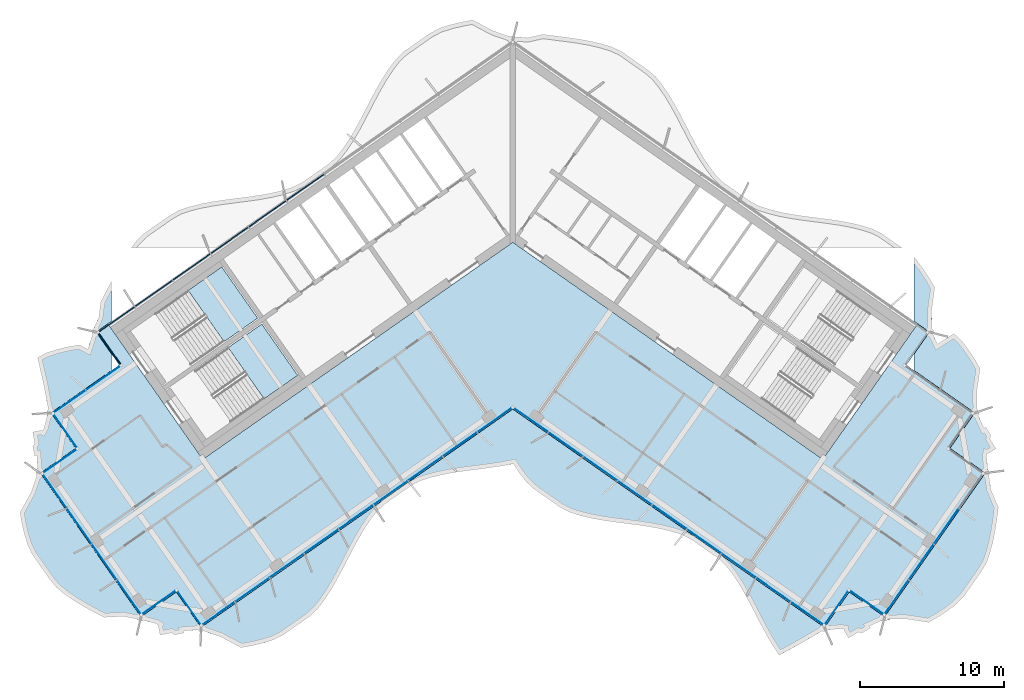
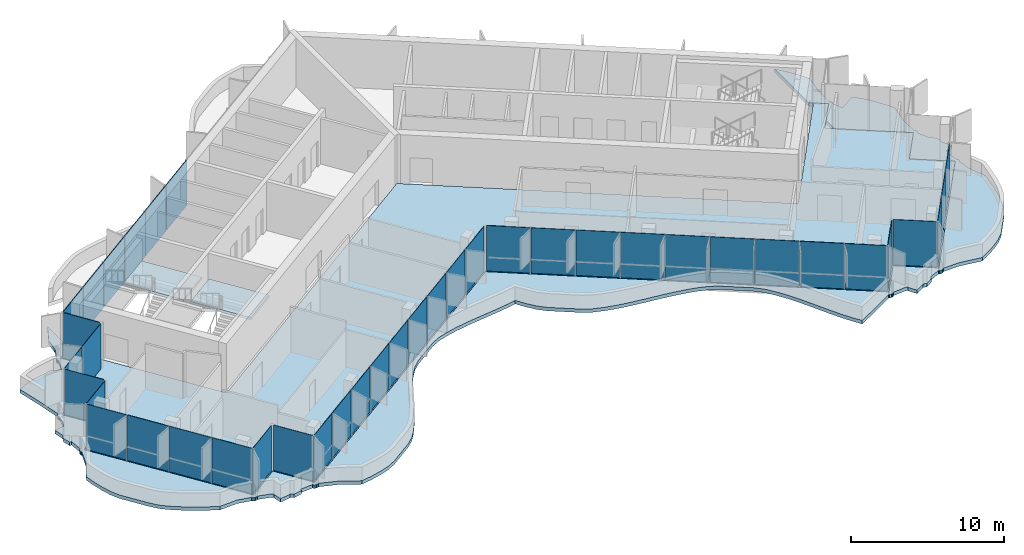
# One storey, part 9 of 20: 40 plates, 4 slabs, 4 elements without a shape of their own.
"""IFC4 building model written with IfcOpenShell, lengths in metres."""

from ifc_helpers import new_model, si_unit, direction, frame, origin, origin_2d, place, context, subcontext, project, spatial, polyline, rectangle, outline, extrude, material, layer, layer_set, type_object, element, aggregate, save


model = new_model("IFC4")

# Units and contexts
model_context = context("Model", 3, precision=1e-05, world=origin(), true_north=direction((0.0, 1.0)))
body_context = subcontext(model_context, "Body", "Model", "MODEL_VIEW")
ifc_project = project(units=[si_unit("LENGTHUNIT", "METRE"), si_unit("AREAUNIT", "SQUARE_METRE"), si_unit("VOLUMEUNIT", "CUBIC_METRE"), si_unit("PLANEANGLEUNIT", "RADIAN"), si_unit("MASSUNIT", "GRAM", prefix="KILO")], contexts=[model_context])

# Site, building, storey
site_placement = place(None, origin())
site = spatial("IfcSite", under=ifc_project, at=site_placement, CompositionType="ELEMENT")
building_placement = place(site_placement, origin())
building = spatial("IfcBuilding", under=site, at=building_placement, Name="Tel Ilan Convention Tower", CompositionType="ELEMENT")
storey_placement = place(building_placement, frame((0.0, 0.0, 233.199951171875)))
storey = spatial("IfcBuildingStorey", under=building, at=storey_placement, Name="L54", CompositionType="ELEMENT", Elevation=233.199951171875)

# Curtain wall, plates
ifc_material_1 = material(Name="Aluminium, bronze anodised", Category="aluminium")
curtain_wall_type_1 = type_object("IfcCurtainWallType", Name="CW2 STICK CURTAIN WALL, SPANDREL PANELS", PredefinedType="NOTDEFINED", material=ifc_material_1)
curtain_wall_1_placement = place(storey_placement, origin())
curtain_wall_1 = element("IfcCurtainWall", 1, at=curtain_wall_1_placement, inside=storey, type_object=curtain_wall_type_1, Name="Curtain wall CW2-42.01", PredefinedType="NOTDEFINED")
ifc_material_2 = material(Name="Aluminium composite panel, bronze anodised", Category="aluminium")
ifc_layer_1 = layer(ifc_material_2, 0.06005859375)
ifc_layer_set_1 = layer_set([ifc_layer_1], Name="CW SPANDREL PANEL 60")
plate_type_1 = type_object("IfcPlateType", Name="CW SPANDREL PANEL 60", PredefinedType="CURTAIN_PANEL", material=ifc_layer_set_1)
plate_1_placement = place(storey_placement, frame((-14.422119140625, 2.59765625, 0.0), z_axis=(0.0, 0.0, 1.0), x_axis=(-0.819152044289, -0.573576436351, 0.0)))
plate_1 = element("IfcPlate", 2, at=plate_1_placement, type_object=plate_type_1, Name="Spandrel panel", PredefinedType="CURTAIN_PANEL", context=body_context, shape_type="SweptSolid", body=[
    extrude(rectangle(XDim=3.15380859375, YDim=0.06005859375, at=origin_2d()), origin(), (0.0, 0.0, 1.0), 3.6201171875),
])
plate_2_placement = place(storey_placement, frame((-17.0546875, 0.754150390625, 0.0), z_axis=(0.0, 0.0, 1.0), x_axis=(-0.819152044289, -0.573576436351, 0.0)))
plate_2 = element("IfcPlate", 3, at=plate_2_placement, type_object=plate_type_1, Name="Spandrel panel", PredefinedType="CURTAIN_PANEL", context=body_context, shape_type="SweptSolid", body=[
    extrude(rectangle(XDim=3.15380859375, YDim=0.06005859375, at=origin_2d()), origin(), (0.0, 0.0, 1.0), 3.6201171875),
])
plate_3_placement = place(storey_placement, frame((-19.687255859375, -1.089111328125, 0.0), z_axis=(0.0, 0.0, 1.0), x_axis=(-0.819152044289, -0.573576436351, 0.0)))
plate_3 = element("IfcPlate", 4, at=plate_3_placement, type_object=plate_type_1, Name="Spandrel panel", PredefinedType="CURTAIN_PANEL", context=body_context, shape_type="SweptSolid", body=[
    extrude(rectangle(XDim=3.15380859375, YDim=0.06005859375, at=origin_2d()), origin(), (0.0, 0.0, 1.0), 3.6201171875),
])
plate_4_placement = place(storey_placement, frame((-22.31982421875, -2.9326171875, 0.0), z_axis=(0.0, 0.0, 1.0), x_axis=(-0.819152044289, -0.573576436351, 0.0)))
plate_4 = element("IfcPlate", 5, at=plate_4_placement, type_object=plate_type_1, Name="Spandrel panel", PredefinedType="CURTAIN_PANEL", context=body_context, shape_type="SweptSolid", body=[
    extrude(rectangle(XDim=3.15380859375, YDim=0.06005859375, at=origin_2d()), origin(), (0.0, 0.0, 1.0), 3.6201171875),
])
plate_5_placement = place(storey_placement, frame((-24.95263671875, -4.77587890625, 0.0), z_axis=(0.0, 0.0, 1.0), x_axis=(-0.819152044289, -0.573576436351, 0.0)))
plate_5 = element("IfcPlate", 6, at=plate_5_placement, type_object=plate_type_1, Name="Spandrel panel", PredefinedType="CURTAIN_PANEL", context=body_context, shape_type="SweptSolid", body=[
    extrude(rectangle(XDim=3.15380859375, YDim=0.06005859375, at=origin_2d()), origin(), (0.0, 0.0, 1.0), 3.6201171875),
])
plate_6_placement = place(storey_placement, frame((-27.5400390625, -6.587646484375, 0.0), z_axis=(0.0, 0.0, 1.0), x_axis=(-0.819152044289, -0.573576436351, 0.0)))
plate_6 = element("IfcPlate", 7, at=plate_6_placement, type_object=plate_type_1, Name="Spandrel panel", PredefinedType="CURTAIN_PANEL", context=body_context, shape_type="SweptSolid", body=[
    extrude(rectangle(XDim=3.0439453125, YDim=0.06005859375, at=origin_2d()), origin(), (0.0, 0.0, 1.0), 3.6201171875),
])
plate_7_placement = place(storey_placement, frame((-28.033935546875, -8.60546875, 0.0), z_axis=(0.0, 0.0, 1.0), x_axis=(0.573576436351, -0.819152044289, 0.0)))
plate_7 = element("IfcPlate", 8, at=plate_7_placement, type_object=plate_type_1, Name="Spandrel panel", PredefinedType="CURTAIN_PANEL", context=body_context, shape_type="SweptSolid", body=[
    extrude(rectangle(XDim=2.658935546875, YDim=0.06005859375, at=origin_2d()), origin(), (0.0, 0.0, 1.0), 3.6201171875),
])
aggregate(curtain_wall_1, [plate_1, plate_2, plate_3, plate_4, plate_5, plate_6, plate_7])

ifc_material_3 = material(Name="Aluminium, bronze anodised", Category="aluminium")
curtain_wall_type_2 = type_object("IfcCurtainWallType", Name="CW5 STICK CURTAIN WALL, UPPER OFFICE LOW-IRON TINTED GLASS", PredefinedType="NOTDEFINED", material=ifc_material_3)
curtain_wall_2_placement = place(storey_placement, origin())
curtain_wall_2 = element("IfcCurtainWall", 9, at=curtain_wall_2_placement, inside=storey, type_object=curtain_wall_type_2, Name="Curtain wall CW5-42.02", PredefinedType="NOTDEFINED")
ifc_material_4 = material(Name="Glass, low-iron bronze tinted, two-ply", Category="glass")
ifc_layer_2 = layer(ifc_material_4, 0.031982421875)
ifc_layer_set_2 = layer_set([ifc_layer_2], Name="CW UPPER GLASS PANEL 32")
plate_type_2 = type_object("IfcPlateType", Name="CW UPPER GLASS PANEL 32", PredefinedType="CURTAIN_PANEL", material=ifc_layer_set_2)
plate_8_placement = place(storey_placement, frame((-28.471435546875, -10.657958984375, 0.0), z_axis=(0.0, 0.0, 1.0), x_axis=(-0.819152044289, -0.573576436351, 0.0)))
plate_8 = element("IfcPlate", 10, at=plate_8_placement, type_object=plate_type_2, Name="Glass panel", PredefinedType="CURTAIN_PANEL", context=body_context, shape_type="SweptSolid", body=[
    extrude(rectangle(XDim=2.868896484375, YDim=0.028076171875, at=origin_2d()), origin(), (0.0, 0.0, 1.0), 3.6201171875),
])
plate_9_placement = place(storey_placement, frame((-30.8203125, -12.302734375, 0.0), z_axis=(0.0, 0.0, 1.0), x_axis=(-0.819152044289, -0.573576436351, 0.0)))
plate_9 = element("IfcPlate", 11, at=plate_9_placement, type_object=plate_type_2, Name="Glass panel", PredefinedType="CURTAIN_PANEL", context=body_context, shape_type="SweptSolid", body=[
    extrude(rectangle(XDim=2.74609375, YDim=0.028076171875, at=origin_2d()), origin(), (0.0, 0.0, 1.0), 3.6201171875),
])
plate_10_placement = place(storey_placement, frame((-31.126220703125, -14.30126953125, 0.0), z_axis=(0.0, 0.0, 1.0), x_axis=(0.573576436351, -0.819152044289, 0.0)))
plate_10 = element("IfcPlate", 12, at=plate_10_placement, type_object=plate_type_2, Name="Glass panel", PredefinedType="CURTAIN_PANEL", context=body_context, shape_type="SweptSolid", body=[
    extrude(rectangle(XDim=2.875, YDim=0.028076171875, at=origin_2d()), origin(), (0.0, 0.0, 1.0), 3.6201171875),
])
plate_11_placement = place(storey_placement, frame((-31.504150390625, -16.44384765625, 0.0), z_axis=(0.0, 0.0, 1.0), x_axis=(-0.819152044289, -0.573576436351, 0.0)))
plate_11 = element("IfcPlate", 13, at=plate_11_placement, type_object=plate_type_2, Name="Glass panel", PredefinedType="CURTAIN_PANEL", context=body_context, shape_type="SweptSolid", body=[
    extrude(rectangle(XDim=2.875, YDim=0.028076171875, at=origin_2d()), origin(), (0.0, 0.0, 1.0), 3.6201171875),
])
plate_12_placement = place(storey_placement, frame((-31.85693359375, -18.488037109375, 0.0), z_axis=(0.0, 0.0, 1.0), x_axis=(0.573576436351, -0.819152044289, 0.0)))
plate_12 = element("IfcPlate", 14, at=plate_12_placement, type_object=plate_type_2, Name="Glass panel", PredefinedType="CURTAIN_PANEL", context=body_context, shape_type="SweptSolid", body=[
    extrude(rectangle(XDim=2.89599609375, YDim=0.028076171875, at=origin_2d()), origin(), (0.0, 0.0, 1.0), 3.6201171875),
])
plate_13_placement = place(storey_placement, frame((-30.134521484375, -20.94775390625, 0.0), z_axis=(0.0, 0.0, 1.0), x_axis=(0.573576436351, -0.819152044289, 0.0)))
plate_13 = element("IfcPlate", 15, at=plate_13_placement, type_object=plate_type_2, Name="Glass panel", PredefinedType="CURTAIN_PANEL", context=body_context, shape_type="SweptSolid", body=[
    extrude(rectangle(XDim=2.989990234375, YDim=0.028076171875, at=origin_2d()), origin(), (0.0, 0.0, 1.0), 3.6201171875),
])
plate_14_placement = place(storey_placement, frame((-28.38525390625, -23.4462890625, 0.0), z_axis=(0.0, 0.0, 1.0), x_axis=(0.573576436351, -0.819152044289, 0.0)))
plate_14 = element("IfcPlate", 16, at=plate_14_placement, type_object=plate_type_2, Name="Glass panel", PredefinedType="CURTAIN_PANEL", context=body_context, shape_type="SweptSolid", body=[
    extrude(rectangle(XDim=2.989990234375, YDim=0.028076171875, at=origin_2d()), origin(), (0.0, 0.0, 1.0), 3.6201171875),
])
plate_15_placement = place(storey_placement, frame((-26.66259765625, -25.90625, 0.0), z_axis=(0.0, 0.0, 1.0), x_axis=(0.573576436351, -0.819152044289, 0.0)))
plate_15 = element("IfcPlate", 17, at=plate_15_placement, type_object=plate_type_2, Name="Glass panel", PredefinedType="CURTAIN_PANEL", context=body_context, shape_type="SweptSolid", body=[
    extrude(rectangle(XDim=2.89599609375, YDim=0.028076171875, at=origin_2d()), origin(), (0.0, 0.0, 1.0), 3.6201171875),
])
plate_16_placement = place(storey_placement, frame((-24.621337890625, -26.273681640625, 0.0), z_axis=(0.0, 0.0, 1.0), x_axis=(0.819152044289, 0.573576436351, 0.0)))
plate_16 = element("IfcPlate", 18, at=plate_16_placement, type_object=plate_type_2, Name="Glass panel", PredefinedType="CURTAIN_PANEL", context=body_context, shape_type="SweptSolid", body=[
    extrude(rectangle(XDim=2.875, YDim=0.028076171875, at=origin_2d()), origin(), (0.0, 0.0, 1.0), 3.6201171875),
])
plate_17_placement = place(storey_placement, frame((-22.478515625, -26.651611328125, 0.0), z_axis=(0.0, 0.0, 1.0), x_axis=(0.573576436351, -0.819152044289, 0.0)))
plate_17 = element("IfcPlate", 19, at=plate_17_placement, type_object=plate_type_2, Name="Glass panel", PredefinedType="CURTAIN_PANEL", context=body_context, shape_type="SweptSolid", body=[
    extrude(rectangle(XDim=2.875, YDim=0.028076171875, at=origin_2d()), origin(), (0.0, 0.0, 1.0), 3.6201171875),
])
plate_18_placement = place(storey_placement, frame((-20.47998046875, -27.036376953125, 0.0), z_axis=(0.0, 0.0, 1.0), x_axis=(0.819152044289, 0.573576436351, 0.0)))
plate_18 = element("IfcPlate", 20, at=plate_18_placement, type_object=plate_type_2, Name="Glass panel", PredefinedType="CURTAIN_PANEL", context=body_context, shape_type="SweptSolid", body=[
    extrude(rectangle(XDim=2.78466796875, YDim=0.028076171875, at=origin_2d()), origin(), (0.0, 0.0, 1.0), 3.6201171875),
])
plate_19_placement = place(storey_placement, frame((-18.111328125, -25.377685546875, 0.0), z_axis=(0.0, 0.0, 1.0), x_axis=(0.819152044289, 0.573576436351, 0.0)))
plate_19 = element("IfcPlate", 21, at=plate_19_placement, type_object=plate_type_2, Name="Glass panel", PredefinedType="CURTAIN_PANEL", context=body_context, shape_type="SweptSolid", body=[
    extrude(rectangle(XDim=2.878662109375, YDim=0.028076171875, at=origin_2d()), origin(), (0.0, 0.0, 1.0), 3.6201171875),
])
plate_20_placement = place(storey_placement, frame((-15.7041015625, -23.692138671875, 0.0), z_axis=(0.0, 0.0, 1.0), x_axis=(0.819152044289, 0.573576436351, 0.0)))
plate_20 = element("IfcPlate", 22, at=plate_20_placement, type_object=plate_type_2, Name="Glass panel", PredefinedType="CURTAIN_PANEL", context=body_context, shape_type="SweptSolid", body=[
    extrude(rectangle(XDim=2.878662109375, YDim=0.028076171875, at=origin_2d()), origin(), (0.0, 0.0, 1.0), 3.6201171875),
])
plate_21_placement = place(storey_placement, frame((-13.296875, -22.006591796875, 0.0), z_axis=(0.0, 0.0, 1.0), x_axis=(0.819152044289, 0.573576436351, 0.0)))
plate_21 = element("IfcPlate", 23, at=plate_21_placement, type_object=plate_type_2, Name="Glass panel", PredefinedType="CURTAIN_PANEL", context=body_context, shape_type="SweptSolid", body=[
    extrude(rectangle(XDim=2.878662109375, YDim=0.028076171875, at=origin_2d()), origin(), (0.0, 0.0, 1.0), 3.6201171875),
])
plate_22_placement = place(storey_placement, frame((-10.8896484375, -20.321044921875, 0.0), z_axis=(0.0, 0.0, 1.0), x_axis=(0.819152044289, 0.573576436351, 0.0)))
plate_22 = element("IfcPlate", 24, at=plate_22_placement, type_object=plate_type_2, Name="Glass panel", PredefinedType="CURTAIN_PANEL", context=body_context, shape_type="SweptSolid", body=[
    extrude(rectangle(XDim=2.878662109375, YDim=0.028076171875, at=origin_2d()), origin(), (0.0, 0.0, 1.0), 3.6201171875),
])
plate_23_placement = place(storey_placement, frame((-8.482666015625, -18.635498046875, 0.0), z_axis=(0.0, 0.0, 1.0), x_axis=(0.819152044289, 0.573576436351, 0.0)))
plate_23 = element("IfcPlate", 25, at=plate_23_placement, type_object=plate_type_2, Name="Glass panel", PredefinedType="CURTAIN_PANEL", context=body_context, shape_type="SweptSolid", body=[
    extrude(rectangle(XDim=2.878662109375, YDim=0.028076171875, at=origin_2d()), origin(), (0.0, 0.0, 1.0), 3.6201171875),
])
plate_24_placement = place(storey_placement, frame((-6.075439453125, -16.949951171875, 0.0), z_axis=(0.0, 0.0, 1.0), x_axis=(0.819152044289, 0.573576436351, 0.0)))
plate_24 = element("IfcPlate", 26, at=plate_24_placement, type_object=plate_type_2, Name="Glass panel", PredefinedType="CURTAIN_PANEL", context=body_context, shape_type="SweptSolid", body=[
    extrude(rectangle(XDim=2.878662109375, YDim=0.028076171875, at=origin_2d()), origin(), (0.0, 0.0, 1.0), 3.6201171875),
])
plate_25_placement = place(storey_placement, frame((-3.668212890625, -15.264404296875, 0.0), z_axis=(0.0, 0.0, 1.0), x_axis=(0.819152044289, 0.573576436351, 0.0)))
plate_25 = element("IfcPlate", 27, at=plate_25_placement, type_object=plate_type_2, Name="Glass panel", PredefinedType="CURTAIN_PANEL", context=body_context, shape_type="SweptSolid", body=[
    extrude(rectangle(XDim=2.878662109375, YDim=0.028076171875, at=origin_2d()), origin(), (0.0, 0.0, 1.0), 3.6201171875),
])
plate_26_placement = place(storey_placement, frame((-1.261474609375, -13.579345703125, 0.0), z_axis=(0.0, 0.0, 1.0), x_axis=(0.819152044289, 0.573576436351, 0.0)))
plate_26 = element("IfcPlate", 28, at=plate_26_placement, type_object=plate_type_2, Name="Glass panel", PredefinedType="CURTAIN_PANEL", context=body_context, shape_type="SweptSolid", body=[
    extrude(rectangle(XDim=2.877685546875, YDim=0.028076171875, at=origin_2d()), origin(), (0.0, 0.0, 1.0), 3.6201171875),
])
plate_27_placement = place(storey_placement, frame((1.27294921875, -13.58740234375, 0.0), z_axis=(0.0, 0.0, 1.0), x_axis=(0.819152044289, -0.573576436351, 0.0)))
plate_27 = element("IfcPlate", 29, at=plate_27_placement, type_object=plate_type_2, Name="Glass panel", PredefinedType="CURTAIN_PANEL", context=body_context, shape_type="SweptSolid", body=[
    extrude(rectangle(XDim=2.849609375, YDim=0.028076171875, at=origin_2d()), origin(), (0.0, 0.0, 1.0), 3.6201171875),
])
plate_28_placement = place(storey_placement, frame((3.668212890625, -15.264404296875, 0.0), z_axis=(0.0, 0.0, 1.0), x_axis=(0.819152044289, -0.573576436351, 0.0)))
plate_28 = element("IfcPlate", 30, at=plate_28_placement, type_object=plate_type_2, Name="Glass panel", PredefinedType="CURTAIN_PANEL", context=body_context, shape_type="SweptSolid", body=[
    extrude(rectangle(XDim=2.878662109375, YDim=0.028076171875, at=origin_2d()), origin(), (0.0, 0.0, 1.0), 3.6201171875),
])
plate_29_placement = place(storey_placement, frame((6.075439453125, -16.949951171875, 0.0), z_axis=(0.0, 0.0, 1.0), x_axis=(0.819152044289, -0.573576436351, 0.0)))
plate_29 = element("IfcPlate", 31, at=plate_29_placement, type_object=plate_type_2, Name="Glass panel", PredefinedType="CURTAIN_PANEL", context=body_context, shape_type="SweptSolid", body=[
    extrude(rectangle(XDim=2.878662109375, YDim=0.028076171875, at=origin_2d()), origin(), (0.0, 0.0, 1.0), 3.6201171875),
])
plate_30_placement = place(storey_placement, frame((8.482666015625, -18.635498046875, 0.0), z_axis=(0.0, 0.0, 1.0), x_axis=(0.819152044289, -0.573576436351, 0.0)))
plate_30 = element("IfcPlate", 32, at=plate_30_placement, type_object=plate_type_2, Name="Glass panel", PredefinedType="CURTAIN_PANEL", context=body_context, shape_type="SweptSolid", body=[
    extrude(rectangle(XDim=2.878662109375, YDim=0.028076171875, at=origin_2d()), origin(), (0.0, 0.0, 1.0), 3.6201171875),
])
plate_31_placement = place(storey_placement, frame((10.8896484375, -20.321044921875, 0.0), z_axis=(0.0, 0.0, 1.0), x_axis=(0.819152044289, -0.573576436351, 0.0)))
plate_31 = element("IfcPlate", 33, at=plate_31_placement, type_object=plate_type_2, Name="Glass panel", PredefinedType="CURTAIN_PANEL", context=body_context, shape_type="SweptSolid", body=[
    extrude(rectangle(XDim=2.878662109375, YDim=0.028076171875, at=origin_2d()), origin(), (0.0, 0.0, 1.0), 3.6201171875),
])
plate_32_placement = place(storey_placement, frame((13.296875, -22.006591796875, 0.0), z_axis=(0.0, 0.0, 1.0), x_axis=(0.819152044289, -0.573576436351, 0.0)))
plate_32 = element("IfcPlate", 34, at=plate_32_placement, type_object=plate_type_2, Name="Glass panel", PredefinedType="CURTAIN_PANEL", context=body_context, shape_type="SweptSolid", body=[
    extrude(rectangle(XDim=2.878662109375, YDim=0.028076171875, at=origin_2d()), origin(), (0.0, 0.0, 1.0), 3.6201171875),
])
plate_33_placement = place(storey_placement, frame((15.7041015625, -23.692138671875, 0.0), z_axis=(0.0, 0.0, 1.0), x_axis=(0.819152044289, -0.573576436351, 0.0)))
plate_33 = element("IfcPlate", 35, at=plate_33_placement, type_object=plate_type_2, Name="Glass panel", PredefinedType="CURTAIN_PANEL", context=body_context, shape_type="SweptSolid", body=[
    extrude(rectangle(XDim=2.878662109375, YDim=0.028076171875, at=origin_2d()), origin(), (0.0, 0.0, 1.0), 3.6201171875),
])
plate_34_placement = place(storey_placement, frame((18.111328125, -25.377685546875, 0.0), z_axis=(0.0, 0.0, 1.0), x_axis=(0.819152044289, -0.573576436351, 0.0)))
plate_34 = element("IfcPlate", 36, at=plate_34_placement, type_object=plate_type_2, Name="Glass panel", PredefinedType="CURTAIN_PANEL", context=body_context, shape_type="SweptSolid", body=[
    extrude(rectangle(XDim=2.878662109375, YDim=0.028076171875, at=origin_2d()), origin(), (0.0, 0.0, 1.0), 3.6201171875),
])
plate_35_placement = place(storey_placement, frame((20.47998046875, -27.036376953125, 0.0), z_axis=(0.0, 0.0, 1.0), x_axis=(0.819152044289, -0.573576436351, 0.0)))
plate_35 = element("IfcPlate", 37, at=plate_35_placement, type_object=plate_type_2, Name="Glass panel", PredefinedType="CURTAIN_PANEL", context=body_context, shape_type="SweptSolid", body=[
    extrude(rectangle(XDim=2.78466796875, YDim=0.028076171875, at=origin_2d()), origin(), (0.0, 0.0, 1.0), 3.6201171875),
])
plate_36_placement = place(storey_placement, frame((22.478515625, -26.651611328125, 0.0), z_axis=(0.0, 0.0, 1.0), x_axis=(0.573576436351, 0.819152044289, 0.0)))
plate_36 = element("IfcPlate", 38, at=plate_36_placement, type_object=plate_type_2, Name="Glass panel", PredefinedType="CURTAIN_PANEL", context=body_context, shape_type="SweptSolid", body=[
    extrude(rectangle(XDim=2.875, YDim=0.028076171875, at=origin_2d()), origin(), (0.0, 0.0, 1.0), 3.6201171875),
])
plate_37_placement = place(storey_placement, frame((24.621337890625, -26.273681640625, 0.0), z_axis=(0.0, 0.0, 1.0), x_axis=(0.819152044289, -0.573576436351, 0.0)))
plate_37 = element("IfcPlate", 39, at=plate_37_placement, type_object=plate_type_2, Name="Glass panel", PredefinedType="CURTAIN_PANEL", context=body_context, shape_type="SweptSolid", body=[
    extrude(rectangle(XDim=2.875, YDim=0.028076171875, at=origin_2d()), origin(), (0.0, 0.0, 1.0), 3.6201171875),
])
plate_38_placement = place(storey_placement, frame((26.66259765625, -25.90625, 0.0), z_axis=(0.0, 0.0, 1.0), x_axis=(0.573576436351, 0.819152044289, 0.0)))
plate_38 = element("IfcPlate", 40, at=plate_38_placement, type_object=plate_type_2, Name="Glass panel", PredefinedType="CURTAIN_PANEL", context=body_context, shape_type="SweptSolid", body=[
    extrude(rectangle(XDim=2.89599609375, YDim=0.028076171875, at=origin_2d()), origin(), (0.0, 0.0, 1.0), 3.6201171875),
])
plate_39_placement = place(storey_placement, frame((28.38525390625, -23.4462890625, 0.0), z_axis=(0.0, 0.0, 1.0), x_axis=(0.573576436351, 0.819152044289, 0.0)))
plate_39 = element("IfcPlate", 41, at=plate_39_placement, type_object=plate_type_2, Name="Glass panel", PredefinedType="CURTAIN_PANEL", context=body_context, shape_type="SweptSolid", body=[
    extrude(rectangle(XDim=2.989990234375, YDim=0.028076171875, at=origin_2d()), origin(), (0.0, 0.0, 1.0), 3.6201171875),
])
plate_40_placement = place(storey_placement, frame((30.134521484375, -20.94775390625, 0.0), z_axis=(0.0, 0.0, 1.0), x_axis=(0.573576436351, 0.819152044289, 0.0)))
plate_40 = element("IfcPlate", 42, at=plate_40_placement, type_object=plate_type_2, Name="Glass panel", PredefinedType="CURTAIN_PANEL", context=body_context, shape_type="SweptSolid", body=[
    extrude(rectangle(XDim=2.989990234375, YDim=0.028076171875, at=origin_2d()), origin(), (0.0, 0.0, 1.0), 3.6201171875),
])
aggregate(curtain_wall_2, [plate_8, plate_9, plate_10, plate_11, plate_12, plate_13, plate_14, plate_15, plate_16, plate_17, plate_18, plate_19, plate_20, plate_21, plate_22, plate_23, plate_24, plate_25, plate_26, plate_27, plate_28, plate_29, plate_30, plate_31, plate_32, plate_33, plate_34, plate_35, plate_36, plate_37, plate_38, plate_39, plate_40])

# Stair, slab
ifc_material_5 = material(Name="Concrete C40/50", Category="concrete")
stair_type = type_object("IfcStairType", Name="Pressurised Exit Stair 22 risers 177 mm", PredefinedType="HALF_TURN_STAIR", material=ifc_material_5)
stair_1_placement = place(storey_placement, origin())
stair_1 = element("IfcStair", 43, at=stair_1_placement, inside=storey, type_object=stair_type, Name="L54 Pressurised Stair S1", PredefinedType="HALF_TURN_STAIR")
ifc_material_6 = material(Name="Concrete C40/50", Category="concrete")
ifc_layer_3 = layer(ifc_material_6, 0.199951171875)
ifc_layer_set_3 = layer_set([ifc_layer_3], Name="Concrete Stair Landing 200 mm C40/50")
slab_type_1 = type_object("IfcSlabType", Name="Concrete Stair Landing 200 mm", PredefinedType="LANDING", material=ifc_layer_set_3)
slab_1_placement = place(storey_placement, frame((0.0, 0.0, 1.75)))
slab_1 = element("IfcSlab", 44, at=slab_1_placement, type_object=slab_type_1, Name="S1 landing 1", PredefinedType="LANDING", context=body_context, shape_type="SweptSolid", body=[
    extrude(outline(polyline([(-20.066650390625, -8.130126953125), (-17.7314453125, -6.494873046875), (-20.226318359375, -2.931640625), (-22.561767578125, -4.566650390625), (-20.066650390625, -8.130126953125)])), origin(), (0.0, 0.0, 1.0), 0.199951171875),
])
aggregate(stair_1, [slab_1])

stair_2_placement = place(storey_placement, origin())
stair_2 = element("IfcStair", 45, at=stair_2_placement, inside=storey, type_object=stair_type, Name="L54 Pressurised Stair S2", PredefinedType="HALF_TURN_STAIR")
slab_2_placement = place(storey_placement, frame((0.0, 0.0, 1.75)))
slab_2 = element("IfcSlab", 46, at=slab_2_placement, type_object=slab_type_1, Name="S2 landing 1", PredefinedType="LANDING", context=body_context, shape_type="SweptSolid", body=[
    extrude(outline(polyline([(-17.28466796875, -12.10302734375), (-14.949462890625, -10.4677734375), (-17.444580078125, -6.904541015625), (-19.77978515625, -8.53955078125), (-17.28466796875, -12.10302734375)])), origin(), (0.0, 0.0, 1.0), 0.199951171875),
])
aggregate(stair_2, [slab_2])

# Slabs
ifc_material_7 = material(Name="Concrete C40/50", Category="concrete")
ifc_layer_4 = layer(ifc_material_7, 0.280029296875)
ifc_layer_set_4 = layer_set([ifc_layer_4], Name="Edge Ledge Slab 280 mm C40/50")
slab_type_2 = type_object("IfcSlabType", Name="Edge Ledge Slab 280 mm C40/50", PredefinedType="FLOOR", material=ifc_layer_set_4)
slab_3_placement = place(storey_placement, frame((0.0, 0.0, -0.280029296875)))
element("IfcSlab", 47, at=slab_3_placement, inside=storey, type_object=slab_type_2, Name="L54 edge ledge 1", PredefinedType="FLOOR", context=body_context, shape_type="SweptSolid", body=[
    extrude(outline(polyline([(-22.855224609375, -28.3798828125), (-23.49462890625, -28.5126953125), (-23.728759765625, -28.3701171875), (-24.51416015625, -28.518310546875), (-24.64697265625, -27.87890625), (-24.61669921875, -27.8291015625), (-24.7724609375, -27.73388671875), (-25.6708984375, -27.4970703125), (-25.67431640625, -27.4921875), (-25.728271484375, -27.5283203125), (-25.843017578125, -27.55126953125), (-25.957763671875, -27.5283203125), (-26.05517578125, -27.46337890625), (-26.083984375, -27.420166015625), (-26.088623046875, -27.42333984375), (-27.05419921875, -27.223388671875), (-28.398193359375, -27.288330078125), (-29.12353515625, -26.920166015625), (-29.82373046875, -26.5341796875), (-30.49462890625, -26.1279296875), (-31.125732421875, -25.69384765625), (-31.707763671875, -25.22509765625), (-32.166748046875, -24.670654296875), (-33.401611328125, -22.906982421875), (-33.7158203125, -22.2509765625), (-33.940185546875, -21.531982421875), (-34.1181640625, -20.780517578125), (-34.248779296875, -19.995849609375), (-33.47021484375, -18.574462890625), (-33.08642578125, -17.4296875), (-33.081787109375, -17.426513671875), (-33.117919921875, -17.372314453125), (-33.140625, -17.257568359375), (-33.117919921875, -17.142822265625), (-33.052734375, -17.04541015625), (-33.009521484375, -17.0166015625), (-33.0126953125, -17.011962890625), (-33.085693359375, -16.03955078125), (-33.232666015625, -16.067138671875), (-33.365478515625, -15.427490234375), (-33.22265625, -15.193603515625), (-33.370849609375, -14.408203125), (-32.7314453125, -14.275390625), (-32.681640625, -14.3056640625), (-32.586669921875, -14.14990234375), (-32.349609375, -13.25146484375), (-32.344970703125, -13.248291015625), (-32.381103515625, -13.194091796875), (-32.40380859375, -13.079345703125), (-32.381103515625, -12.964599609375), (-32.31591796875, -12.8671875), (-32.272705078125, -12.83837890625), (-32.27587890625, -12.833740234375), (-32.6083984375, -11.094970703125), (-33.031982421875, -9.225830078125), (-32.382080078125, -8.890380859375), (-31.6572265625, -8.661376953125), (-30.899169921875, -8.47998046875), (-30.110107421875, -8.3427734375), (-29.537353515625, -8.652587890625), (-29.20458984375, -7.631103515625), (-29.199951171875, -7.6279296875), (-29.236083984375, -7.57373046875), (-29.2587890625, -7.458984375), (-29.236083984375, -7.34423828125), (-29.1708984375, -7.246826171875), (-29.127685546875, -7.218017578125), (-29.130859375, -7.21337890625), (-28.772216796875, -6.441650390625), (-28.635009765625, -5.353515625), (-28.252685546875, -4.614990234375), (-27.875, -3.881103515625), (-27.875, -6.7001953125), (-28.958740234375, -7.458984375), (-27.875, -9.007080078125), (-27.875, -10.1181640625), (-32.10400390625, -13.079345703125), (-30.383056640625, -15.536865234375), (-32.840576171875, -17.257568359375), (-25.843017578125, -27.251220703125), (-23.385498046875, -25.530517578125), (-21.664794921875, -27.988037109375), (0.0, -12.818115234375), (21.664794921875, -27.988037109375), (23.385498046875, -25.530517578125), (25.843017578125, -27.251220703125), (32.840576171875, -17.257568359375), (30.383056640625, -15.536865234375), (32.10400390625, -13.079345703125), (27.875, -10.1181640625), (27.875, -9.007080078125), (28.958740234375, -7.458984375), (27.875, -6.7001953125), (27.875, -2.269287109375), (28.0107421875, -2.392578125), (28.48388671875, -3.001220703125), (28.922119140625, -3.6591796875), (29.331298828125, -4.35888671875), (29.109619140625, -5.95947265625), (29.130859375, -7.21337890625), (29.127685546875, -7.218017578125), (29.1708984375, -7.246826171875), (29.236083984375, -7.34423828125), (29.2587890625, -7.458984375), (29.236083984375, -7.57373046875), (29.199951171875, -7.6279296875), (29.20458984375, -7.631103515625), (29.52001953125, -8.2939453125), (30.656494140625, -7.5625), (31.194091796875, -8.05859375), (31.6572265625, -8.661376953125), (32.0869140625, -9.3115234375), (32.485595703125, -10.006103515625), (32.248779296875, -11.6083984375), (32.27587890625, -12.833740234375), (32.272705078125, -12.83837890625), (32.31591796875, -12.8671875), (32.381103515625, -12.964599609375), (32.40380859375, -13.079345703125), (32.381103515625, -13.194091796875), (32.344970703125, -13.248291015625), (32.349609375, -13.25146484375), (32.7509765625, -14.14013671875), (32.87939453125, -14.06396484375), (33.222900390625, -14.619384765625), (33.1689453125, -14.88818359375), (33.576904296875, -15.57568359375), (33.021240234375, -15.919189453125), (32.964111328125, -15.90771484375), (32.927978515625, -16.086669921875), (33.0126953125, -17.011962890625), (33.009521484375, -17.0166015625), (33.052734375, -17.04541015625), (33.117919921875, -17.142822265625), (33.140625, -17.257568359375), (33.117919921875, -17.372314453125), (33.081787109375, -17.426513671875), (33.08642578125, -17.4296875), (33.228759765625, -18.405517578125), (33.749267578125, -19.64599609375), (33.6513671875, -20.45361328125), (33.5283203125, -21.243408203125), (33.376220703125, -22.012939453125), (33.183837890625, -22.75439453125), (32.9423828125, -23.461669921875), (32.57861328125, -24.082763671875), (31.343505859375, -25.84619140625), (30.83447265625, -26.365966796875), (30.235595703125, -26.82275390625), (29.59033203125, -27.246826171875), (28.897705078125, -27.637939453125), (27.2958984375, -27.392578125), (26.088623046875, -27.42333984375), (26.083984375, -27.420166015625), (26.05517578125, -27.46337890625), (25.957763671875, -27.5283203125), (25.843017578125, -27.55126953125), (25.728271484375, -27.5283203125), (25.67431640625, -27.4921875), (25.6708984375, -27.4970703125), (24.7822265625, -27.898193359375), (24.8583984375, -28.02685546875), (24.302978515625, -28.3701171875), (24.0341796875, -28.31640625), (23.3466796875, -28.72412109375), (23.00341796875, -28.168701171875), (23.0146484375, -28.111328125), (22.835693359375, -28.075439453125), (21.910400390625, -28.16015625), (21.906005859375, -28.15673828125), (21.876953125, -28.2001953125), (21.779541015625, -28.26513671875), (21.664794921875, -28.2880859375), (21.550048828125, -28.26513671875), (21.49609375, -28.22900390625), (21.49267578125, -28.233642578125), (19.969482421875, -29.128173828125), (18.5185546875, -29.919677734375), (18.077880859375, -29.268310546875), (17.6669921875, -28.573974609375), (17.27587890625, -27.851806640625), (16.894775390625, -27.115234375), (16.51416015625, -26.377685546875), (16.12451171875, -25.653564453125), (15.71630859375, -24.955810546875), (15.28125, -24.29638671875), (14.811767578125, -23.685791015625), (14.27099609375, -23.177001953125), (12.4658203125, -21.9130859375), (11.811767578125, -21.56591796875), (11.080810546875, -21.329345703125), (10.314697265625, -21.142333984375), (9.521240234375, -20.99462890625), (8.70849609375, -20.87451171875), (7.885986328125, -20.7685546875), (7.06298828125, -20.6630859375), (6.24951171875, -20.5439453125), (5.45458984375, -20.398193359375), (4.68701171875, -20.213623046875), (3.953857421875, -19.979736328125), (3.2939453125, -19.6416015625), (1.488525390625, -18.377197265625), (0.94189453125, -17.877197265625), (0.470458984375, -17.269775390625), (0.03369140625, -16.61279296875), (0.033203125, -16.6123046875), (-0.023681640625, -16.626708984375), (-0.816650390625, -16.775146484375), (-1.62890625, -16.895751953125), (-2.45166015625, -17.001953125), (-3.274658203125, -17.107421875), (-4.08837890625, -17.225830078125), (-4.8837890625, -17.370849609375), (-5.65234375, -17.55419921875), (-6.386474609375, -17.78662109375), (-7.049560546875, -18.12060546875), (-8.85498046875, -19.384521484375), (-9.404541015625, -19.880615234375), (-9.877197265625, -20.486572265625), (-10.314697265625, -21.142333984375), (-10.724853515625, -21.83740234375), (-11.11572265625, -22.56005859375), (-11.49658203125, -23.296875), (-11.877197265625, -24.0341796875), (-12.267333984375, -24.7578125), (-12.67626953125, -25.454833984375), (-13.1123046875, -26.113037109375), (-13.582763671875, -26.721923828125), (-14.12646484375, -27.226318359375), (-15.931884765625, -28.490478515625), (-16.588623046875, -28.833251953125), (-17.32080078125, -29.068603515625), (-18.08740234375, -29.25439453125), (-18.88330078125, -29.3984375), (-20.311279296875, -28.64013671875), (-21.49267578125, -28.233642578125), (-21.49609375, -28.22900390625), (-21.550048828125, -28.26513671875), (-21.664794921875, -28.2880859375), (-21.779541015625, -28.26513671875), (-21.876953125, -28.2001953125), (-21.906005859375, -28.15673828125), (-21.910400390625, -28.16015625), (-22.8828125, -28.233154296875), (-22.855224609375, -28.3798828125)])), origin(), (0.0, 0.0, 1.0), 0.280029296875),
])
ifc_material_8 = material(Name="Concrete C40/50", Category="concrete")
ifc_layer_5 = layer(ifc_material_8, 0.280029296875)
ifc_layer_set_5 = layer_set([ifc_layer_5], Name="Flat Plate Floor Slab 280 mm C40/50")
slab_type_3 = type_object("IfcSlabType", Name="Flat Plate Floor Slab 280 mm C40/50", PredefinedType="FLOOR", material=ifc_layer_set_5)
slab_4_placement = place(storey_placement, frame((0.0, 0.0, -0.280029296875)))
element("IfcSlab", 48, at=slab_4_placement, inside=storey, type_object=slab_type_3, Name="L54 floor slab", PredefinedType="FLOOR", context=body_context, shape_type="SweptSolid", body=[
    extrude(outline(polyline([(21.54345703125, -16.3056640625), (28.1396484375, -6.885498046875), (28.958740234375, -7.458984375), (27.352783203125, -9.752685546875), (32.10400390625, -13.079345703125), (30.383056640625, -15.536865234375), (32.840576171875, -17.257568359375), (25.843017578125, -27.251220703125), (23.385498046875, -25.530517578125), (21.664794921875, -27.988037109375), (0.0, -12.818115234375), (-21.664794921875, -27.988037109375), (-23.385498046875, -25.530517578125), (-25.843017578125, -27.251220703125), (-32.840576171875, -17.257568359375), (-30.383056640625, -15.536865234375), (-32.10400390625, -13.079345703125), (-27.352783203125, -9.752685546875), (-28.958740234375, -7.458984375), (-28.1396484375, -6.885498046875), (-21.54345703125, -16.3056640625), (0.0, -1.220703125), (21.54345703125, -16.3056640625)])), origin(), (0.0, 0.0, 1.0), 0.280029296875),
])

save(model, "model.ifc")
